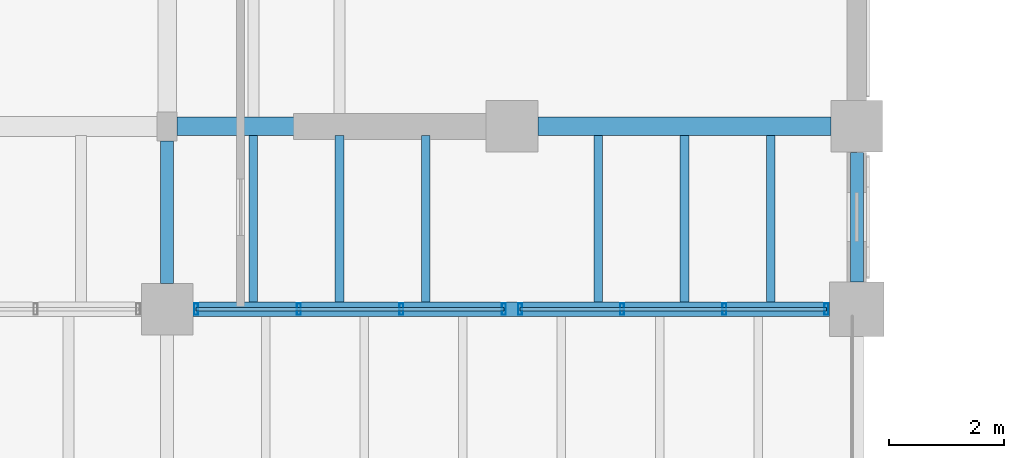
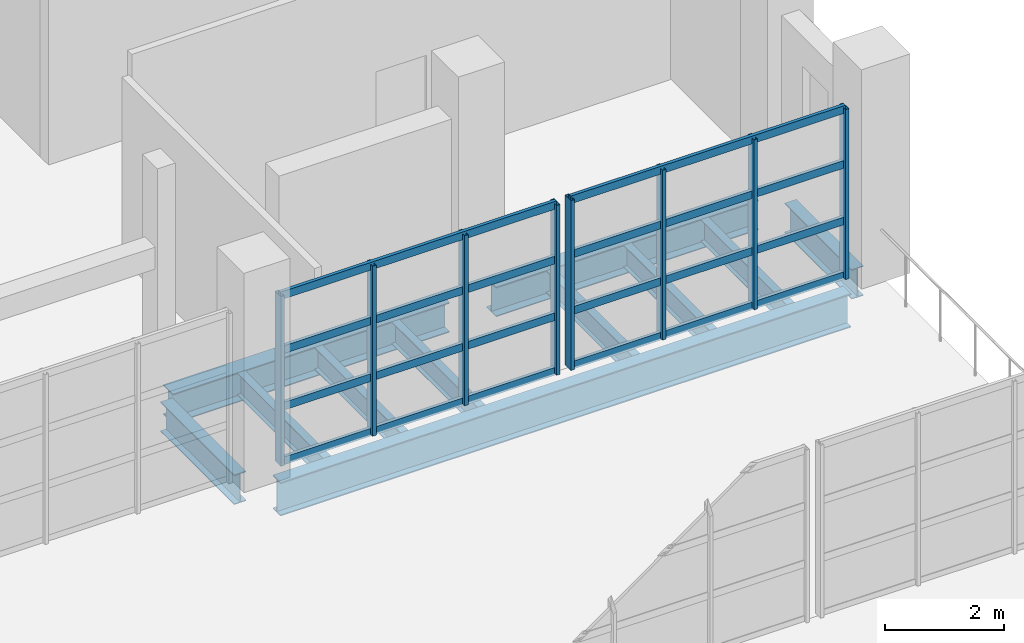
# One storey, part 60 of 114: 16 members, 11 beams, 2 elements without a shape of their own.
"""IFC4 building model written with IfcOpenShell, lengths in metres."""

from ifc_helpers import new_model, si_unit, direction, frame, origin, origin_2d, place, context, subcontext, project, spatial, hollow_rectangle, i_section, extrude, material, material_profile, profile_set, type_object, element, aggregate, save


model = new_model("IFC4")

# Units and contexts
model_context = context("Model", 3, precision=1e-05, world=origin(), true_north=direction((0.0, 1.0)))
body_context = subcontext(model_context, "Body", "Model", "MODEL_VIEW")
ifc_project = project(units=[si_unit("LENGTHUNIT", "METRE"), si_unit("AREAUNIT", "SQUARE_METRE"), si_unit("VOLUMEUNIT", "CUBIC_METRE"), si_unit("PLANEANGLEUNIT", "RADIAN"), si_unit("MASSUNIT", "GRAM", prefix="KILO")], contexts=[model_context])

# Site, building, storey
site_placement = place(None, origin())
site = spatial("IfcSite", under=ifc_project, at=site_placement, CompositionType="ELEMENT")
building_placement = place(site_placement, origin())
building = spatial("IfcBuilding", under=site, at=building_placement, Name="Kelmvaro Bay Concert Hall", CompositionType="ELEMENT")
storey_placement = place(building_placement, frame((0.0, 0.0, 4.800048828125)))
storey = spatial("IfcBuildingStorey", under=building, at=storey_placement, Name="L01", CompositionType="ELEMENT", Elevation=4.800048828125)

# Beams
ifc_material_1 = material(Name="Steel ASTM A992 Grade 50", Category="steel")
ifc_material_profile_1 = material_profile(ifc_material_1, i_section(OverallWidth=0.152099609375, OverallDepth=0.455078125, WebThickness=0.008056640625, FlangeThickness=0.01318359375, at=origin_2d()), Name="W18X40")
ifc_profile_set_1 = profile_set([ifc_material_profile_1], Name="Steel ASTM A992 Grade 50")
beam_type_1 = type_object("IfcBeamType", Name="Foyer Concourse Floor Joist W18x40", PredefinedType="JOIST", material=ifc_profile_set_1)
for number, where, z_axis, x_axis, name in (
    (1, (49.5, 65.528076171875, -0.527587890625), (0.0, 1.0, 0.0), (-1.0, 0.0, 0.0), "L01 Floor Joist JST-L01-0568"),
    (2, (51.0, 65.528076171875, -0.527587890625), (0.0, 1.0, 0.0), (-1.0, 0.0, 0.0), "L01 Floor Joist JST-L01-0569"),
    (3, (52.5, 65.528076171875, -0.527587890625), (0.0, 1.0, 0.0), (-1.0, 0.0, 0.0), "L01 Floor Joist JST-L01-0570"),
    (4, (55.5, 65.528076171875, -0.527587890625), (0.0, 1.0, 0.0), (-1.0, 0.0, 0.0), "L01 Floor Joist JST-L01-0571"),
    (5, (57.0, 65.528076171875, -0.527587890625), (0.0, 1.0, 0.0), (-1.0, 0.0, 0.0), "L01 Floor Joist JST-L01-0572"),
    (6, (58.5, 65.528076171875, -0.527587890625), (0.0, 1.0, 0.0), (-1.0, 0.0, 0.0), "L01 Floor Joist JST-L01-0573"),
):
    element("IfcBeam", number, at=place(storey_placement, frame(where, z_axis=z_axis, x_axis=x_axis)), inside=storey, type_object=beam_type_1, Name=name, PredefinedType="JOIST", context=body_context, shape_type="SweptSolid", body=[
        extrude(i_section(OverallWidth=0.152099609375, OverallDepth=0.455078125, WebThickness=0.008056640625, FlangeThickness=0.01318359375, at=origin_2d()), origin(), (0.0, 0.0, 1.0), 2.889892578125),
    ])
ifc_material_2 = material(Name="Steel ASTM A992 Grade 50", Category="steel")
ifc_material_profile_2 = material_profile(ifc_material_2, i_section(OverallWidth=0.323974609375, OverallDepth=0.611083984375, WebThickness=0.0126953125, FlangeThickness=0.01904296875, at=origin_2d()), Name="W24X104")
ifc_profile_set_2 = profile_set([ifc_material_profile_2], Name="Steel ASTM A992 Grade 50")
beam_type_2 = type_object("IfcBeamType", Name="Foyer Frame Girder W24x104", PredefinedType="BEAM", material=ifc_profile_set_2)
beam_1_placement = place(storey_placement, frame((48.175048828125, 68.580078125, -0.60546875), z_axis=(1.0, 0.0, 0.0), x_axis=(0.0, 1.0, 0.0)))
element("IfcBeam", 7, at=beam_1_placement, inside=storey, type_object=beam_type_2, Name="L01 Girder BM-L01-EW-0085", PredefinedType="BEAM", context=body_context, shape_type="SweptSolid", body=[
    extrude(i_section(OverallWidth=0.323974609375, OverallDepth=0.611083984375, WebThickness=0.0126953125, FlangeThickness=0.01904296875, at=origin_2d()), origin(), (0.0, 0.0, 1.0), 5.375),
])
beam_2_placement = place(storey_placement, frame((54.449951171875, 68.580078125, -0.60546875), z_axis=(1.0, 0.0, 0.0), x_axis=(0.0, 1.0, 0.0)))
element("IfcBeam", 8, at=beam_2_placement, inside=storey, type_object=beam_type_2, Name="L01 Girder BM-L01-EW-0086", PredefinedType="BEAM", context=body_context, shape_type="SweptSolid", body=[
    extrude(i_section(OverallWidth=0.323974609375, OverallDepth=0.611083984375, WebThickness=0.0126953125, FlangeThickness=0.01904296875, at=origin_2d()), origin(), (0.0, 0.0, 1.0), 5.10009765625),
])
ifc_material_3 = material(Name="Steel ASTM A992 Grade 50", Category="steel")
ifc_material_profile_3 = material_profile(ifc_material_3, i_section(OverallWidth=0.256103515625, OverallDepth=0.693115234375, WebThickness=0.014404296875, FlangeThickness=0.023681640625, at=origin_2d()), Name="W27X114")
ifc_profile_set_3 = profile_set([ifc_material_profile_3], Name="Steel ASTM A992 Grade 50")
beam_type_3 = type_object("IfcBeamType", Name="Foyer Primary Girder W27x114", PredefinedType="BEAM", material=ifc_profile_set_3)
beam_3_placement = place(storey_placement, frame((48.449951171875, 65.39990234375, -0.646484375), z_axis=(1.0, 0.0, 0.0), x_axis=(0.0, 1.0, 0.0)))
element("IfcBeam", 9, at=beam_3_placement, inside=storey, type_object=beam_type_3, Name="L01 Girder BM-L01-EW-0076", PredefinedType="BEAM", context=body_context, shape_type="SweptSolid", body=[
    extrude(i_section(OverallWidth=0.256103515625, OverallDepth=0.693115234375, WebThickness=0.014404296875, FlangeThickness=0.023681640625, at=origin_2d()), origin(), (0.0, 0.0, 1.0), 11.074951171875),
])
ifc_material_4 = material(Name="Steel ASTM A992 Grade 50", Category="steel")
ifc_material_profile_4 = material_profile(ifc_material_4, i_section(OverallWidth=0.22900390625, OverallDepth=0.612060546875, WebThickness=0.011962890625, FlangeThickness=0.01953125, at=origin_2d()), Name="W24X84")
ifc_profile_set_4 = profile_set([ifc_material_profile_4], Name="Steel ASTM A992 Grade 50")
beam_type_4 = type_object("IfcBeamType", Name="Terrace Edge Girder W24x84", PredefinedType="BEAM", material=ifc_profile_set_4)
beam_4_placement = place(storey_placement, frame((48.0, 65.85009765625, -0.60595703125), z_axis=(0.0, 1.0, 0.0), x_axis=(-1.0, 0.0, 0.0)))
element("IfcBeam", 10, at=beam_4_placement, inside=storey, type_object=beam_type_4, Name="L01 Girder BM-L01-NS-0154", PredefinedType="BEAM", context=body_context, shape_type="SweptSolid", body=[
    extrude(i_section(OverallWidth=0.22900390625, OverallDepth=0.612060546875, WebThickness=0.011962890625, FlangeThickness=0.01953125, at=origin_2d()), origin(), (0.0, 0.0, 1.0), 2.47998046875),
])
beam_5_placement = place(storey_placement, frame((60.0, 65.875, -0.60595703125), z_axis=(0.0, 1.0, 0.0), x_axis=(-1.0, 0.0, 0.0)))
element("IfcBeam", 11, at=beam_5_placement, inside=storey, type_object=beam_type_4, Name="L01 Girder BM-L01-NS-0163", PredefinedType="BEAM", context=body_context, shape_type="SweptSolid", body=[
    extrude(i_section(OverallWidth=0.22900390625, OverallDepth=0.612060546875, WebThickness=0.011962890625, FlangeThickness=0.01953125, at=origin_2d()), origin(), (0.0, 0.0, 1.0), 2.2548828125),
])

# Curtain wall, members
ifc_material_5 = material(Name="Anodised Aluminium and Low-E Insulated Glazing", Category="aluminium")
curtain_wall_type = type_object("IfcCurtainWallType", Name="Symphony South Gallery Curtain Wall 3920", PredefinedType="USERDEFINED", material=ifc_material_5)
curtain_wall_1_placement = place(storey_placement, origin())
curtain_wall_1 = element("IfcCurtainWall", 12, at=curtain_wall_1_placement, inside=storey, type_object=curtain_wall_type, Name="Unitised Curtain Wall CW-L01-008", ObjectType="UNITISED GLAZING", PredefinedType="USERDEFINED")
ifc_material_6 = material(Name="Anodised Extruded Aluminium 6063-T6", Category="aluminium")
ifc_material_profile_5 = material_profile(ifc_material_6, hollow_rectangle(XDim=0.070068359375, YDim=0.199951171875, WallThickness=0.00439453125, at=origin_2d()), Name="ALU-MUL-200X70")
ifc_profile_set_5 = profile_set([ifc_material_profile_5], Name="Anodised Extruded Aluminium 6063-T6")
member_type_1 = type_object("IfcMemberType", Name="Waterfront Mullion ALU 200x70", PredefinedType="MULLION", material=ifc_profile_set_5)
member_1_placement = place(storey_placement, frame((53.860107421875, 65.39990234375, 0.0), z_axis=(0.0, 0.0, 1.0), x_axis=(1.0, 0.0, 0.0)))
member_1 = element("IfcMember", 13, at=member_1_placement, type_object=member_type_1, Name="CW-L01-008 Mullion 01", PredefinedType="MULLION", context=body_context, shape_type="SweptSolid", body=[
    extrude(hollow_rectangle(XDim=0.070068359375, YDim=0.199951171875, WallThickness=0.00439453125, at=origin_2d()), origin(), (0.0, 0.0, 1.0), 3.487060546875),
])
member_2_placement = place(storey_placement, frame((52.074951171875, 65.39990234375, 0.0), z_axis=(0.0, 0.0, 1.0), x_axis=(1.0, 0.0, 0.0)))
member_2 = element("IfcMember", 14, at=member_2_placement, type_object=member_type_1, Name="CW-L01-008 Mullion 02", PredefinedType="MULLION", context=body_context, shape_type="SweptSolid", body=[
    extrude(hollow_rectangle(XDim=0.070068359375, YDim=0.199951171875, WallThickness=0.00439453125, at=origin_2d()), origin(), (0.0, 0.0, 1.0), 3.487060546875),
])
member_3_placement = place(storey_placement, frame((50.2900390625, 65.39990234375, 0.0), z_axis=(0.0, 0.0, 1.0), x_axis=(1.0, 0.0, 0.0)))
member_3 = element("IfcMember", 15, at=member_3_placement, type_object=member_type_1, Name="CW-L01-008 Mullion 03", PredefinedType="MULLION", context=body_context, shape_type="SweptSolid", body=[
    extrude(hollow_rectangle(XDim=0.070068359375, YDim=0.199951171875, WallThickness=0.00439453125, at=origin_2d()), origin(), (0.0, 0.0, 1.0), 3.487060546875),
])
member_4_placement = place(storey_placement, frame((48.5048828125, 65.39990234375, 0.0), z_axis=(0.0, 0.0, 1.0), x_axis=(1.0, 0.0, 0.0)))
member_4 = element("IfcMember", 16, at=member_4_placement, type_object=member_type_1, Name="CW-L01-008 Mullion 04", PredefinedType="MULLION", context=body_context, shape_type="SweptSolid", body=[
    extrude(hollow_rectangle(XDim=0.070068359375, YDim=0.199951171875, WallThickness=0.00439453125, at=origin_2d()), origin(), (0.0, 0.0, 1.0), 3.487060546875),
])

curtain_wall_2_placement = place(storey_placement, origin())
curtain_wall_2 = element("IfcCurtainWall", 17, at=curtain_wall_2_placement, inside=storey, type_object=curtain_wall_type, Name="Unitised Curtain Wall CW-L01-009", ObjectType="UNITISED GLAZING", PredefinedType="USERDEFINED")
member_5_placement = place(storey_placement, frame((59.469970703125, 65.39990234375, 0.0), z_axis=(0.0, 0.0, 1.0), x_axis=(1.0, 0.0, 0.0)))
member_5 = element("IfcMember", 18, at=member_5_placement, type_object=member_type_1, Name="CW-L01-009 Mullion 01", PredefinedType="MULLION", context=body_context, shape_type="SweptSolid", body=[
    extrude(hollow_rectangle(XDim=0.070068359375, YDim=0.199951171875, WallThickness=0.00439453125, at=origin_2d()), origin(), (0.0, 0.0, 1.0), 3.487060546875),
])
member_6_placement = place(storey_placement, frame((57.693359375, 65.39990234375, 0.0), z_axis=(0.0, 0.0, 1.0), x_axis=(1.0, 0.0, 0.0)))
member_6 = element("IfcMember", 19, at=member_6_placement, type_object=member_type_1, Name="CW-L01-009 Mullion 02", PredefinedType="MULLION", context=body_context, shape_type="SweptSolid", body=[
    extrude(hollow_rectangle(XDim=0.070068359375, YDim=0.199951171875, WallThickness=0.00439453125, at=origin_2d()), origin(), (0.0, 0.0, 1.0), 3.487060546875),
])
member_7_placement = place(storey_placement, frame((55.916748046875, 65.39990234375, 0.0), z_axis=(0.0, 0.0, 1.0), x_axis=(1.0, 0.0, 0.0)))
member_7 = element("IfcMember", 20, at=member_7_placement, type_object=member_type_1, Name="CW-L01-009 Mullion 03", PredefinedType="MULLION", context=body_context, shape_type="SweptSolid", body=[
    extrude(hollow_rectangle(XDim=0.070068359375, YDim=0.199951171875, WallThickness=0.00439453125, at=origin_2d()), origin(), (0.0, 0.0, 1.0), 3.487060546875),
])
member_8_placement = place(storey_placement, frame((54.139892578125, 65.39990234375, 0.0), z_axis=(0.0, 0.0, 1.0), x_axis=(1.0, 0.0, 0.0)))
member_8 = element("IfcMember", 21, at=member_8_placement, type_object=member_type_1, Name="CW-L01-009 Mullion 04", PredefinedType="MULLION", context=body_context, shape_type="SweptSolid", body=[
    extrude(hollow_rectangle(XDim=0.070068359375, YDim=0.199951171875, WallThickness=0.00439453125, at=origin_2d()), origin(), (0.0, 0.0, 1.0), 3.487060546875),
])

# Member
ifc_material_7 = material(Name="Anodised Extruded Aluminium 6063-T6", Category="aluminium")
ifc_material_profile_6 = material_profile(ifc_material_7, hollow_rectangle(XDim=0.06494140625, YDim=0.159912109375, WallThickness=0.00390625, at=origin_2d()), Name="ALU-TRN-160X65")
ifc_profile_set_6 = profile_set([ifc_material_profile_6], Name="Anodised Extruded Aluminium 6063-T6")
member_type_2 = type_object("IfcMemberType", Name="Waterfront Transom ALU 160x65", PredefinedType="USERDEFINED", material=ifc_profile_set_6)
member_9_placement = place(storey_placement, frame((53.860107421875, 65.39990234375, 0.0400390625), z_axis=(-1.0, 0.0, 0.0), x_axis=(0.0, -1.0, 0.0)))
member_9 = element("IfcMember", 22, at=member_9_placement, type_object=member_type_2, Name="CW-L01-008 Transom 01", ObjectType="TRANSOM", PredefinedType="USERDEFINED", context=body_context, shape_type="SweptSolid", body=[
    extrude(hollow_rectangle(XDim=0.06494140625, YDim=0.159912109375, WallThickness=0.00390625, at=origin_2d()), origin(), (0.0, 0.0, 1.0), 5.355224609375),
])

member_10_placement = place(storey_placement, frame((53.860107421875, 65.39990234375, 1.162353515625), z_axis=(-1.0, 0.0, 0.0), x_axis=(0.0, -1.0, 0.0)))
member_10 = element("IfcMember", 23, at=member_10_placement, type_object=member_type_2, Name="CW-L01-008 Transom 02", ObjectType="TRANSOM", PredefinedType="USERDEFINED", context=body_context, shape_type="SweptSolid", body=[
    extrude(hollow_rectangle(XDim=0.06494140625, YDim=0.159912109375, WallThickness=0.00390625, at=origin_2d()), origin(), (0.0, 0.0, 1.0), 5.355224609375),
])

member_11_placement = place(storey_placement, frame((53.860107421875, 65.39990234375, 2.32470703125), z_axis=(-1.0, 0.0, 0.0), x_axis=(0.0, -1.0, 0.0)))
member_11 = element("IfcMember", 24, at=member_11_placement, type_object=member_type_2, Name="CW-L01-008 Transom 03", ObjectType="TRANSOM", PredefinedType="USERDEFINED", context=body_context, shape_type="SweptSolid", body=[
    extrude(hollow_rectangle(XDim=0.06494140625, YDim=0.159912109375, WallThickness=0.00390625, at=origin_2d()), origin(), (0.0, 0.0, 1.0), 5.355224609375),
])

member_12_placement = place(storey_placement, frame((53.860107421875, 65.39990234375, 3.447021484375), z_axis=(-1.0, 0.0, 0.0), x_axis=(0.0, -1.0, 0.0)))
member_12 = element("IfcMember", 25, at=member_12_placement, type_object=member_type_2, Name="CW-L01-008 Transom 04", ObjectType="TRANSOM", PredefinedType="USERDEFINED", context=body_context, shape_type="SweptSolid", body=[
    extrude(hollow_rectangle(XDim=0.06494140625, YDim=0.159912109375, WallThickness=0.00390625, at=origin_2d()), origin(), (0.0, 0.0, 1.0), 5.355224609375),
])

aggregate(curtain_wall_1, [member_1, member_2, member_3, member_4, member_9, member_10, member_11, member_12])

member_13_placement = place(storey_placement, frame((59.469970703125, 65.39990234375, 0.0400390625), z_axis=(-1.0, 0.0, 0.0), x_axis=(0.0, -1.0, 0.0)))
member_13 = element("IfcMember", 26, at=member_13_placement, type_object=member_type_2, Name="CW-L01-009 Transom 01", ObjectType="TRANSOM", PredefinedType="USERDEFINED", context=body_context, shape_type="SweptSolid", body=[
    extrude(hollow_rectangle(XDim=0.06494140625, YDim=0.159912109375, WallThickness=0.00390625, at=origin_2d()), origin(), (0.0, 0.0, 1.0), 5.330078125),
])

member_14_placement = place(storey_placement, frame((59.469970703125, 65.39990234375, 1.162353515625), z_axis=(-1.0, 0.0, 0.0), x_axis=(0.0, -1.0, 0.0)))
member_14 = element("IfcMember", 27, at=member_14_placement, type_object=member_type_2, Name="CW-L01-009 Transom 02", ObjectType="TRANSOM", PredefinedType="USERDEFINED", context=body_context, shape_type="SweptSolid", body=[
    extrude(hollow_rectangle(XDim=0.06494140625, YDim=0.159912109375, WallThickness=0.00390625, at=origin_2d()), origin(), (0.0, 0.0, 1.0), 5.330078125),
])

member_15_placement = place(storey_placement, frame((59.469970703125, 65.39990234375, 2.32470703125), z_axis=(-1.0, 0.0, 0.0), x_axis=(0.0, -1.0, 0.0)))
member_15 = element("IfcMember", 28, at=member_15_placement, type_object=member_type_2, Name="CW-L01-009 Transom 03", ObjectType="TRANSOM", PredefinedType="USERDEFINED", context=body_context, shape_type="SweptSolid", body=[
    extrude(hollow_rectangle(XDim=0.06494140625, YDim=0.159912109375, WallThickness=0.00390625, at=origin_2d()), origin(), (0.0, 0.0, 1.0), 5.330078125),
])

member_16_placement = place(storey_placement, frame((59.469970703125, 65.39990234375, 3.447021484375), z_axis=(-1.0, 0.0, 0.0), x_axis=(0.0, -1.0, 0.0)))
member_16 = element("IfcMember", 29, at=member_16_placement, type_object=member_type_2, Name="CW-L01-009 Transom 04", ObjectType="TRANSOM", PredefinedType="USERDEFINED", context=body_context, shape_type="SweptSolid", body=[
    extrude(hollow_rectangle(XDim=0.06494140625, YDim=0.159912109375, WallThickness=0.00390625, at=origin_2d()), origin(), (0.0, 0.0, 1.0), 5.330078125),
])

aggregate(curtain_wall_2, [member_5, member_6, member_7, member_8, member_13, member_14, member_15, member_16])

save(model, "model.ifc")
